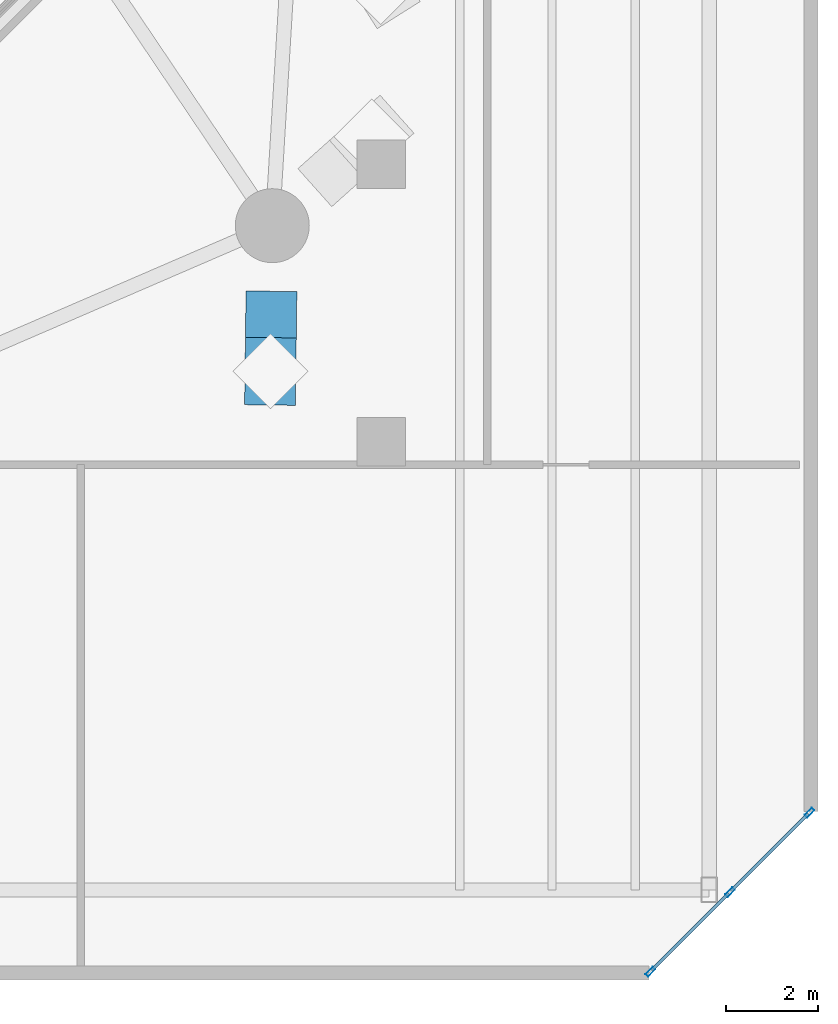
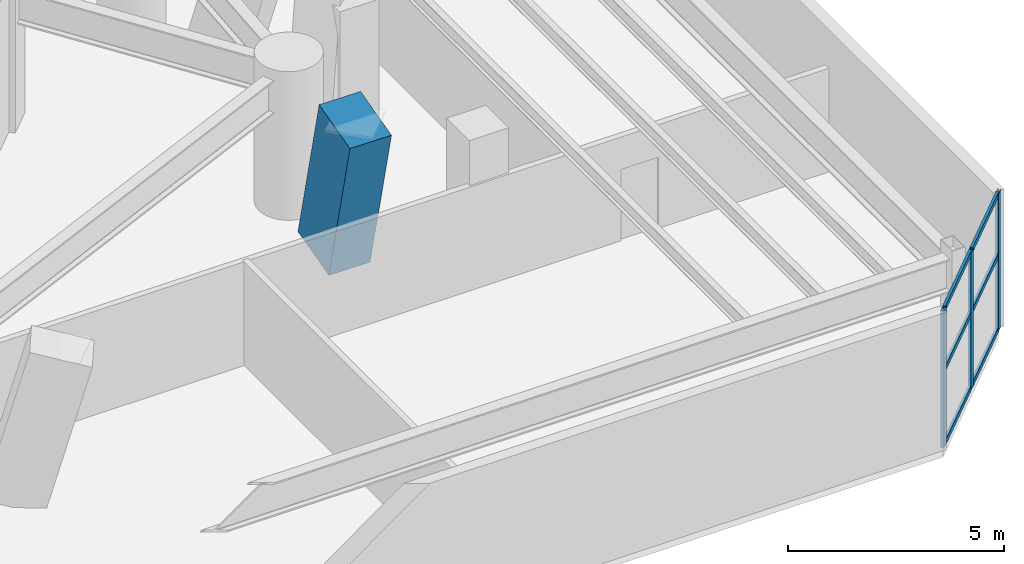
# One storey, part 7 of 20: 10 members, 1 element without a shape of its own.
"""IFC4 building model written with IfcOpenShell, lengths in metres."""

from ifc_helpers import new_model, si_unit, direction, frame, origin, origin_2d, place, context, subcontext, project, spatial, rectangle, hollow_rectangle, extrude, material, layer, layer_set, material_profile, profile_set, type_object, element, aggregate, save


model = new_model("IFC4")

# Units and contexts
model_context = context("Model", 3, precision=1e-05, world=origin(), true_north=direction((0.0, 1.0)))
body_context = subcontext(model_context, "Body", "Model", "MODEL_VIEW")
ifc_project = project(units=[si_unit("LENGTHUNIT", "METRE"), si_unit("AREAUNIT", "SQUARE_METRE"), si_unit("VOLUMEUNIT", "CUBIC_METRE"), si_unit("PLANEANGLEUNIT", "RADIAN"), si_unit("MASSUNIT", "GRAM", prefix="KILO")], contexts=[model_context])

# Site, building, storey
site_placement = place(None, origin())
site = spatial("IfcSite", under=ifc_project, at=site_placement, CompositionType="ELEMENT")
building_placement = place(site_placement, origin())
building = spatial("IfcBuilding", under=site, at=building_placement, Name="Cununo Teusaquillo Station Towers", CompositionType="ELEMENT")
storey_placement = place(building_placement, frame((0.0, 0.0, 9.0)))
storey = spatial("IfcBuildingStorey", under=building, at=storey_placement, Name="L02", CompositionType="ELEMENT", Elevation=9.0)

# Curtain wall, members
ifc_material_1 = material(Name="Ceramic-fritted dark low-E double glazing", Category="glass")
ifc_layer = layer(ifc_material_1, 0.179931640625)
ifc_layer_set = layer_set([ifc_layer], Name="Ceramic-fritted dark low-E double glazing")
curtain_wall_type = type_object("IfcCurtainWallType", Name="CW-SYS-01", PredefinedType="USERDEFINED", material=ifc_layer_set)
curtain_wall_placement = place(storey_placement, origin())
curtain_wall = element("IfcCurtainWall", 1, at=curtain_wall_placement, inside=storey, type_object=curtain_wall_type, Name="L02 Station Podium Corner Curtain Wall 6", ObjectType="FRITTED GLAZING", PredefinedType="USERDEFINED")
ifc_material_2 = material(Name="Anodised dark bronze aluminium EN AW-6063-T6", Category="aluminium")
ifc_material_profile_1 = material_profile(ifc_material_2, hollow_rectangle(XDim=0.080078125, YDim=0.219970703125, WallThickness=0.0048828125, at=origin_2d()), Name="CW-MULL-80x220")
ifc_profile_set_1 = profile_set([ifc_material_profile_1], Name="Anodised dark bronze aluminium EN AW-6063-T6")
member_type_1 = type_object("IfcMemberType", Name="CWM-220", PredefinedType="MULLION", material=ifc_profile_set_1)
member_1_placement = place(storey_placement, frame((81.771728515625, 4.4716796875, 0.0), z_axis=(0.0, 0.0, 1.0), x_axis=(0.707106781187, -0.707106781187, 0.0)))
member_1 = element("IfcMember", 2, at=member_1_placement, type_object=member_type_1, Name="CW-01 mullion 1", PredefinedType="MULLION", context=body_context, shape_type="SweptSolid", body=[
    extrude(hollow_rectangle(XDim=0.080078125, YDim=0.219970703125, WallThickness=0.0048828125, at=origin_2d()), origin(), (0.0, 0.0, 1.0), 3.885009765625),
])
member_2_placement = place(storey_placement, frame((80.050048828125, 2.75, 0.0), z_axis=(0.0, 0.0, 1.0), x_axis=(0.707106781187, -0.707106781187, 0.0)))
member_2 = element("IfcMember", 3, at=member_2_placement, type_object=member_type_1, Name="CW-01 mullion 2", PredefinedType="MULLION", context=body_context, shape_type="SweptSolid", body=[
    extrude(hollow_rectangle(XDim=0.080078125, YDim=0.219970703125, WallThickness=0.0048828125, at=origin_2d()), origin(), (0.0, 0.0, 1.0), 3.885009765625),
])
member_3_placement = place(storey_placement, frame((78.328369140625, 1.0283203125, 0.0), z_axis=(0.0, 0.0, 1.0), x_axis=(0.707106781187, -0.707106781187, 0.0)))
member_3 = element("IfcMember", 4, at=member_3_placement, type_object=member_type_1, Name="CW-01 mullion 3", PredefinedType="MULLION", context=body_context, shape_type="SweptSolid", body=[
    extrude(hollow_rectangle(XDim=0.080078125, YDim=0.219970703125, WallThickness=0.0048828125, at=origin_2d()), origin(), (0.0, 0.0, 1.0), 3.885009765625),
])
ifc_material_3 = material(Name="Anodised dark bronze aluminium EN AW-6063-T6", Category="aluminium")
ifc_material_profile_2 = material_profile(ifc_material_3, hollow_rectangle(XDim=0.070068359375, YDim=0.139892578125, WallThickness=0.00390625, at=origin_2d()), Name="CW-TRAN-70x140")
ifc_profile_set_2 = profile_set([ifc_material_profile_2], Name="Anodised dark bronze aluminium EN AW-6063-T6")
member_type_2 = type_object("IfcMemberType", Name="CWT-140", PredefinedType="USERDEFINED", material=ifc_profile_set_2)
member_4_placement = place(storey_placement, frame((81.743408203125, 4.443359375, 0.034912109375), z_axis=(-0.707106781187, -0.707106781187, 0.0), x_axis=(0.707106781187, -0.707106781187, 0.0)))
member_4 = element("IfcMember", 5, at=member_4_placement, type_object=member_type_2, Name="CW-01 transom 1.1", ObjectType="TRANSOM", PredefinedType="USERDEFINED", context=body_context, shape_type="SweptSolid", body=[
    extrude(hollow_rectangle(XDim=0.070068359375, YDim=0.139892578125, WallThickness=0.00390625, at=origin_2d()), origin(), (0.0, 0.0, 1.0), 2.354736328125),
])
member_5_placement = place(storey_placement, frame((81.743408203125, 4.443359375, 2.136962890625), z_axis=(-0.707106781187, -0.707106781187, 0.0), x_axis=(0.707106781187, -0.707106781187, 0.0)))
member_5 = element("IfcMember", 6, at=member_5_placement, type_object=member_type_2, Name="CW-01 transom 1.2", ObjectType="TRANSOM", PredefinedType="USERDEFINED", context=body_context, shape_type="SweptSolid", body=[
    extrude(hollow_rectangle(XDim=0.070068359375, YDim=0.139892578125, WallThickness=0.00390625, at=origin_2d()), origin(), (0.0, 0.0, 1.0), 2.354736328125),
])
member_6_placement = place(storey_placement, frame((81.743408203125, 4.443359375, 3.85009765625), z_axis=(-0.707106781187, -0.707106781187, 0.0), x_axis=(0.707106781187, -0.707106781187, 0.0)))
member_6 = element("IfcMember", 7, at=member_6_placement, type_object=member_type_2, Name="CW-01 transom 1.3", ObjectType="TRANSOM", PredefinedType="USERDEFINED", context=body_context, shape_type="SweptSolid", body=[
    extrude(hollow_rectangle(XDim=0.070068359375, YDim=0.139892578125, WallThickness=0.00390625, at=origin_2d()), origin(), (0.0, 0.0, 1.0), 2.354736328125),
])
member_7_placement = place(storey_placement, frame((80.021728515625, 2.7216796875, 0.034912109375), z_axis=(-0.707106781187, -0.707106781187, 0.0), x_axis=(0.707106781187, -0.707106781187, 0.0)))
member_7 = element("IfcMember", 8, at=member_7_placement, type_object=member_type_2, Name="CW-01 transom 2.1", ObjectType="TRANSOM", PredefinedType="USERDEFINED", context=body_context, shape_type="SweptSolid", body=[
    extrude(hollow_rectangle(XDim=0.070068359375, YDim=0.139892578125, WallThickness=0.00390625, at=origin_2d()), origin(), (0.0, 0.0, 1.0), 2.354736328125),
])
member_8_placement = place(storey_placement, frame((80.021728515625, 2.7216796875, 2.136962890625), z_axis=(-0.707106781187, -0.707106781187, 0.0), x_axis=(0.707106781187, -0.707106781187, 0.0)))
member_8 = element("IfcMember", 9, at=member_8_placement, type_object=member_type_2, Name="CW-01 transom 2.2", ObjectType="TRANSOM", PredefinedType="USERDEFINED", context=body_context, shape_type="SweptSolid", body=[
    extrude(hollow_rectangle(XDim=0.070068359375, YDim=0.139892578125, WallThickness=0.00390625, at=origin_2d()), origin(), (0.0, 0.0, 1.0), 2.354736328125),
])
member_9_placement = place(storey_placement, frame((80.021728515625, 2.7216796875, 3.85009765625), z_axis=(-0.707106781187, -0.707106781187, 0.0), x_axis=(0.707106781187, -0.707106781187, 0.0)))
member_9 = element("IfcMember", 10, at=member_9_placement, type_object=member_type_2, Name="CW-01 transom 2.3", ObjectType="TRANSOM", PredefinedType="USERDEFINED", context=body_context, shape_type="SweptSolid", body=[
    extrude(hollow_rectangle(XDim=0.070068359375, YDim=0.139892578125, WallThickness=0.00390625, at=origin_2d()), origin(), (0.0, 0.0, 1.0), 2.354736328125),
])
aggregate(curtain_wall, [member_1, member_2, member_3, member_4, member_5, member_6, member_7, member_8, member_9])

# Member
ifc_material_4 = material(Name="Concrete C60/75", Category="concrete")
ifc_material_profile_3 = material_profile(ifc_material_4, rectangle(XDim=1.10009765625, YDim=1.5, at=origin_2d()), Name="RC-RECT-1500x1100")
ifc_profile_set_3 = profile_set([ifc_material_profile_3], Name="Concrete C60/75")
member_type_3 = type_object("IfcMemberType", Name="MBR-VFOOT", PredefinedType="USERDEFINED", material=ifc_profile_set_3)
member_10_placement = place(storey_placement, frame((70.118896484375, 15.0244140625, 0.0), z_axis=(-0.002940051874, -0.23226409803, 0.972648315097), x_axis=(0.99991989426, -0.012657213851, 0.0)))
element("IfcMember", 11, at=member_10_placement, inside=storey, type_object=member_type_3, Name="L02 Tower B Sloping Concrete V-Foot V16L", ObjectType="V FOOT STRUT", PredefinedType="USERDEFINED", context=body_context, shape_type="SweptSolid", body=[
    extrude(rectangle(XDim=1.10009765625, YDim=1.5, at=origin_2d()), origin(), (0.0, 0.0, 1.0), 4.318115234375),
])

save(model, "model.ifc")
